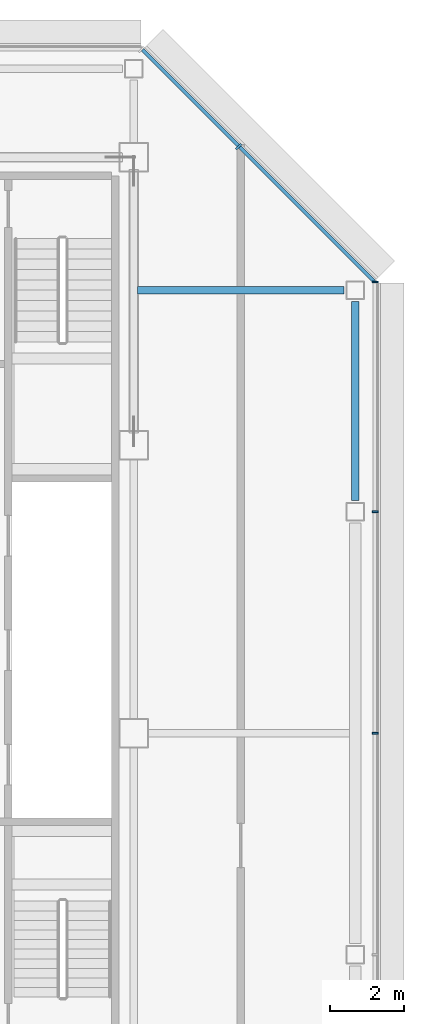
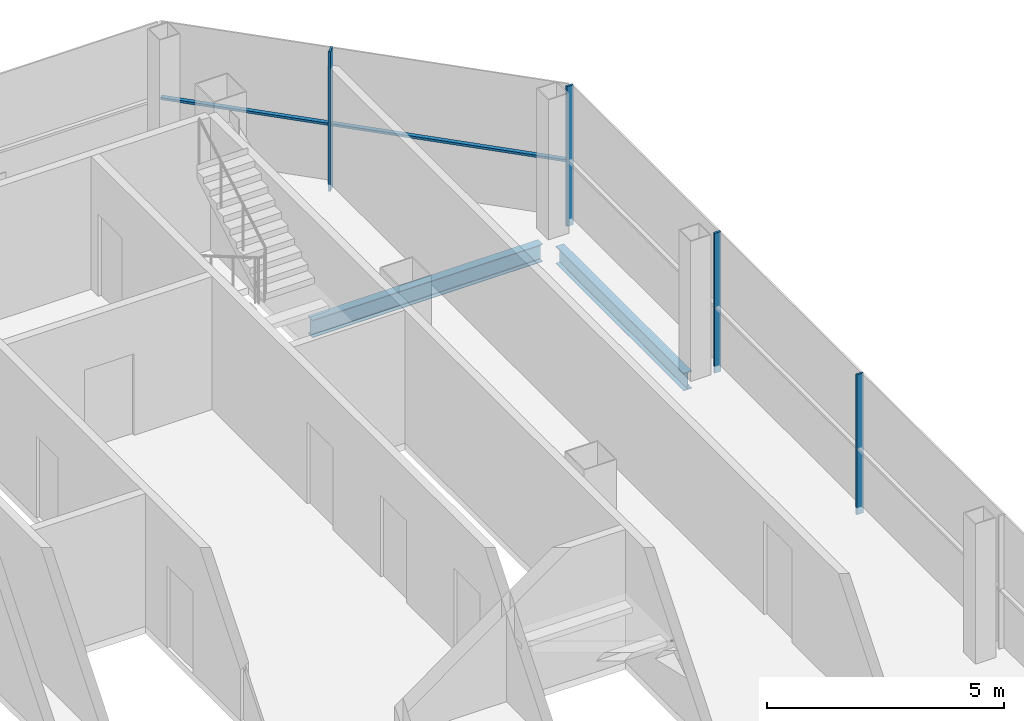
# One storey, part 19 of 28: 5 members, 2 beams, 2 elements without a shape of their own.
"""IFC4 building model written with IfcOpenShell, lengths in metres."""

from ifc_helpers import new_model, si_unit, direction, frame, origin, origin_2d, place, context, subcontext, project, spatial, rectangle, i_section, extrude, material, material_profile, profile_set, type_object, element, aggregate, save


model = new_model("IFC4")

# Units and contexts
model_context = context("Model", 3, precision=1e-05, world=origin(), true_north=direction((0.0, 1.0)))
body_context = subcontext(model_context, "Body", "Model", "MODEL_VIEW")
ifc_project = project(units=[si_unit("LENGTHUNIT", "METRE"), si_unit("AREAUNIT", "SQUARE_METRE"), si_unit("VOLUMEUNIT", "CUBIC_METRE"), si_unit("PLANEANGLEUNIT", "RADIAN"), si_unit("MASSUNIT", "GRAM", prefix="KILO")], contexts=[model_context])

# Site, building, storey
site_placement = place(None, origin())
site = spatial("IfcSite", under=ifc_project, at=site_placement, CompositionType="ELEMENT")
building_placement = place(site_placement, origin())
building = spatial("IfcBuilding", under=site, at=building_placement, Name="Sorahane Residences", CompositionType="ELEMENT")
storey_placement = place(building_placement, frame((0.0, 0.0, 301.60009765625)))
storey = spatial("IfcBuildingStorey", under=building, at=storey_placement, Name="L71", CompositionType="ELEMENT", Elevation=301.60009765625)

# Curtain wall, members
ifc_material_1 = material(Name="Dark low-e glass and black anodised aluminium", Category="aluminium")
curtain_wall_type_1 = type_object("IfcCurtainWallType", Name="Curtain wall CW-1 Typical unitised wall", PredefinedType="NOTDEFINED", material=ifc_material_1)
curtain_wall_1_placement = place(storey_placement, origin())
curtain_wall_1 = element("IfcCurtainWall", 1, at=curtain_wall_1_placement, inside=storey, type_object=curtain_wall_type_1, Name="CW-1 curtain wall L71 E1", PredefinedType="NOTDEFINED")
ifc_material_2 = material(Name="Black anodised aluminium", Category="aluminium")
ifc_material_profile_1 = material_profile(ifc_material_2, rectangle(XDim=0.159912109375, YDim=0.050048828125, at=origin_2d()), Name="Curtain wall mullion CW-1 black anodised aluminium 50x160")
ifc_profile_set_1 = profile_set([ifc_material_profile_1], Name="Black anodised aluminium")
member_type_1 = type_object("IfcMemberType", Name="Curtain wall mullion CW-1 black anodised aluminium 50x160", PredefinedType="MULLION", material=ifc_profile_set_1)
member_1_placement = place(storey_placement, frame((48.5400390625, 30.0, -0.18017578125), z_axis=(0.0, 0.0, 1.0), x_axis=(1.0, 0.0, 0.0)))
member_1 = element("IfcMember", 2, at=member_1_placement, type_object=member_type_1, Name="CW-1 mullion L71 E1.5", PredefinedType="MULLION", context=body_context, shape_type="SweptSolid", body=[
    extrude(rectangle(XDim=0.159912109375, YDim=0.050048828125, at=origin_2d()), origin(), (0.0, 0.0, 1.0), 3.60009765625),
])
member_2_placement = place(storey_placement, frame((48.5400390625, 36.0, -0.18017578125), z_axis=(0.0, 0.0, 1.0), x_axis=(1.0, 0.0, 0.0)))
member_2 = element("IfcMember", 3, at=member_2_placement, type_object=member_type_1, Name="CW-1 mullion L71 E1.6", PredefinedType="MULLION", context=body_context, shape_type="SweptSolid", body=[
    extrude(rectangle(XDim=0.159912109375, YDim=0.050048828125, at=origin_2d()), origin(), (0.0, 0.0, 1.0), 3.60009765625),
])
member_3_placement = place(storey_placement, frame((48.5400390625, 42.2236328125, -0.18017578125), z_axis=(0.0, 0.0, 1.0), x_axis=(1.0, 0.0, 0.0)))
member_3 = element("IfcMember", 4, at=member_3_placement, type_object=member_type_1, Name="CW-1 mullion L71 E1.7", PredefinedType="MULLION", context=body_context, shape_type="SweptSolid", body=[
    extrude(rectangle(XDim=0.159912109375, YDim=0.050048828125, at=origin_2d()), origin(), (0.0, 0.0, 1.0), 3.60009765625),
])
aggregate(curtain_wall_1, [member_1, member_2, member_3])

ifc_material_3 = material(Name="Dark low-e glass and black anodised aluminium", Category="aluminium")
curtain_wall_type_2 = type_object("IfcCurtainWallType", Name="Curtain wall CW-2 Chamfer unitised wall", PredefinedType="NOTDEFINED", material=ifc_material_3)
curtain_wall_2_placement = place(storey_placement, origin())
curtain_wall_2 = element("IfcCurtainWall", 5, at=curtain_wall_2_placement, inside=storey, type_object=curtain_wall_type_2, Name="CW-2 curtain wall L71 NE1", PredefinedType="NOTDEFINED")
ifc_material_4 = material(Name="Black anodised aluminium", Category="aluminium")
ifc_material_profile_2 = material_profile(ifc_material_4, rectangle(XDim=0.199951171875, YDim=0.050048828125, at=origin_2d()), Name="Curtain wall mullion CW-2 black anodised aluminium 50x200")
ifc_profile_set_2 = profile_set([ifc_material_profile_2], Name="Black anodised aluminium")
member_type_2 = type_object("IfcMemberType", Name="Curtain wall mullion CW-2 black anodised aluminium 50x200", PredefinedType="MULLION", material=ifc_profile_set_2)
member_4_placement = place(storey_placement, frame((44.84326171875, 45.89208984375, -0.18017578125), z_axis=(0.0, 0.0, 1.0), x_axis=(0.707106781187, 0.707106781187, 0.0)))
member_4 = element("IfcMember", 6, at=member_4_placement, type_object=member_type_2, Name="CW-2 mullion L71 NE1.2", PredefinedType="MULLION", context=body_context, shape_type="SweptSolid", body=[
    extrude(rectangle(XDim=0.199951171875, YDim=0.050048828125, at=origin_2d()), origin(), (0.0, 0.0, 1.0), 3.60009765625),
])
ifc_material_5 = material(Name="Black anodised aluminium", Category="aluminium")
ifc_material_profile_3 = material_profile(ifc_material_5, rectangle(XDim=0.10009765625, YDim=0.06005859375, at=origin_2d()), Name="Curtain wall transom CW-2 black anodised aluminium 60x100")
ifc_profile_set_3 = profile_set([ifc_material_profile_3], Name="Black anodised aluminium")
member_type_3 = type_object("IfcMemberType", Name="Curtain wall transom CW-2 black anodised aluminium 60x100", PredefinedType="USERDEFINED", material=ifc_profile_set_3)
member_5_placement = place(storey_placement, frame((48.51513671875, 42.234375, 1.5), z_axis=(-0.707106781187, 0.707106781187, 0.0), x_axis=(-0.707106781187, -0.707106781187, 0.0)))
member_5 = element("IfcMember", 7, at=member_5_placement, type_object=member_type_3, Name="CW-2 transom L71 NE1", ObjectType="TRANSOM", PredefinedType="USERDEFINED", context=body_context, shape_type="SweptSolid", body=[
    extrude(rectangle(XDim=0.10009765625, YDim=0.06005859375, at=origin_2d()), origin(), (0.0, 0.0, 1.0), 8.88232421875),
])
aggregate(curtain_wall_2, [member_4, member_5])

# Beams
ifc_material_6 = material(Name="Steel Q355B", Category="steel")
ifc_material_profile_4 = material_profile(ifc_material_6, i_section(OverallWidth=0.199951171875, OverallDepth=0.449951171875, WebThickness=0.009033203125, FlangeThickness=0.013916015625, FilletRadius=0.02001953125, at=origin_2d()), Name="HN 450x200x9x14")
ifc_profile_set_4 = profile_set([ifc_material_profile_4], Name="Steel Q355B")
beam_type = type_object("IfcBeamType", Name="Steel floor beam HN 450x200x9x14 Q355B", PredefinedType="BEAM", material=ifc_profile_set_4)
beam_1_placement = place(storey_placement, frame((48.0, 36.300048828125, -0.405029296875), z_axis=(0.0, 1.0, 0.0), x_axis=(-1.0, 0.0, 0.0)))
element("IfcBeam", 8, at=beam_1_placement, inside=storey, type_object=beam_type, Name="Beam L71 065", PredefinedType="BEAM", context=body_context, shape_type="SweptSolid", body=[
    extrude(i_section(OverallWidth=0.199951171875, OverallDepth=0.449951171875, WebThickness=0.009033203125, FlangeThickness=0.013916015625, FilletRadius=0.02001953125, at=origin_2d()), origin(), (0.0, 0.0, 1.0), 5.39990234375),
])
beam_2_placement = place(storey_placement, frame((42.10009765625, 42.0, -0.405029296875), z_axis=(1.0, 0.0, 0.0), x_axis=(0.0, 1.0, 0.0)))
element("IfcBeam", 9, at=beam_2_placement, inside=storey, type_object=beam_type, Name="Beam L71 090", PredefinedType="BEAM", context=body_context, shape_type="SweptSolid", body=[
    extrude(i_section(OverallWidth=0.199951171875, OverallDepth=0.449951171875, WebThickness=0.009033203125, FlangeThickness=0.013916015625, FilletRadius=0.02001953125, at=origin_2d()), origin(), (0.0, 0.0, 1.0), 5.599853515625),
])

save(model, "model.ifc")
